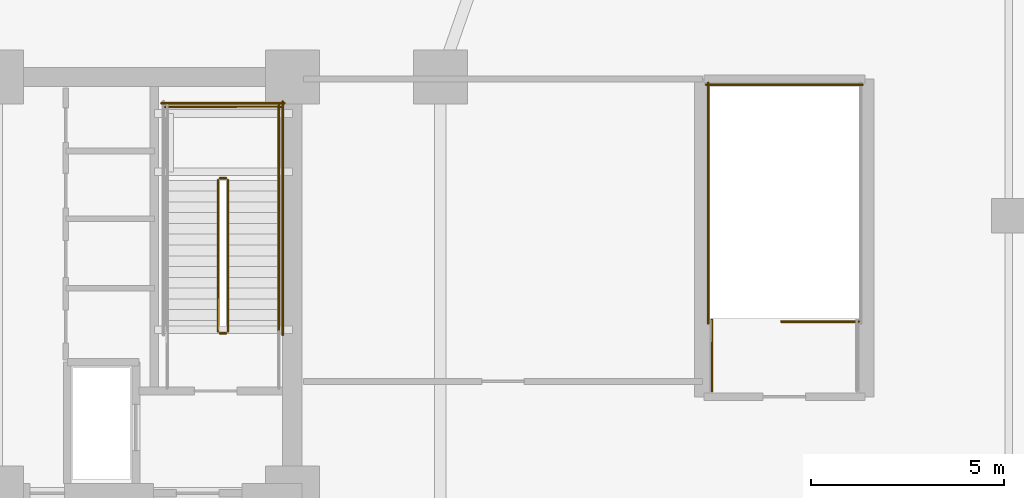
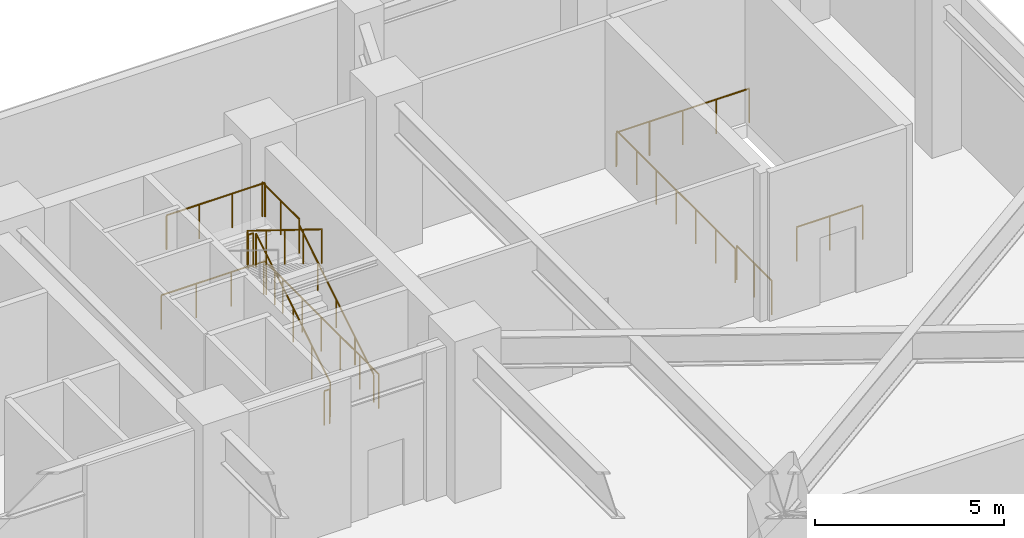
# One storey, part 14 of 15: 13 railings.
"""IFC4 building model written with IfcOpenShell, lengths in metres."""

from ifc_helpers import new_model, si_unit, direction, frame, origin, origin_2d, place, context, subcontext, project, spatial, circle, extrude, material, layer, layer_set, type_object, element, save


model = new_model("IFC4")

# Units and contexts
model_context = context("Model", 3, precision=1e-05, world=origin(), true_north=direction((0.0, 1.0)))
body_context = subcontext(model_context, "Body", "Model", "MODEL_VIEW")
ifc_project = project(units=[si_unit("LENGTHUNIT", "METRE"), si_unit("AREAUNIT", "SQUARE_METRE"), si_unit("VOLUMEUNIT", "CUBIC_METRE"), si_unit("PLANEANGLEUNIT", "RADIAN"), si_unit("MASSUNIT", "GRAM", prefix="KILO")], contexts=[model_context])

# Site, building, storey
site_placement = place(None, origin())
site = spatial("IfcSite", under=ifc_project, at=site_placement, CompositionType="ELEMENT")
building_placement = place(site_placement, origin())
building = spatial("IfcBuilding", under=site, at=building_placement, Name="Yelkora Congress Tower", CompositionType="ELEMENT")
storey_placement = place(building_placement, frame((0.0, 0.0, 25.199951171875)))
storey = spatial("IfcBuildingStorey", under=building, at=storey_placement, Name="L05", CompositionType="ELEMENT", Elevation=25.199951171875)

# Railings
ifc_material_1 = material(Name="Painted galvanised steel stair well guard with vertical infill", Category="steel")
ifc_layer_1 = layer(ifc_material_1, 0.06005859375)
ifc_layer_set_1 = layer_set([ifc_layer_1], Name="Painted galvanised steel stair well guard with vertical infill")
railing_type_1 = type_object("IfcRailingType", Name="RAIL-STAIR-GUARD-1120", PredefinedType="GUARDRAIL", material=ifc_layer_set_1)
railing_1_placement = place(storey_placement, frame((52.090087890625, 39.60009765625, 0.17333984375)))
element("IfcRailing", 1, at=railing_1_placement, inside=storey, type_object=railing_type_1, Name="ST-02 L05 Stair Well Guardrail 1", PredefinedType="GUARDRAIL", context=body_context, shape_type="SweptSolid", body=[
    extrude(circle(Radius=0.02392578125, at=origin_2d()), frame((0.0, 0.0, 1.09619140625), z_axis=(0.0, 0.850251603719, 0.526376491091), x_axis=(-1.0, 0.0, 0.0)), (0.0, 0.0, 1.0), 4.6103515625),
    extrude(circle(Radius=0.02099609375, at=origin_2d()), origin(), (0.0, 0.0, 1.0), 1.072021484375),
    extrude(circle(Radius=0.02099609375, at=origin_2d()), frame((0.0, 0.97998046875, 0.606689453125)), (0.0, 0.0, 1.0), 1.072021484375),
    extrude(circle(Radius=0.02099609375, at=origin_2d()), frame((0.0, 1.9599609375, 1.21337890625)), (0.0, 0.0, 1.0), 1.072021484375),
    extrude(circle(Radius=0.02099609375, at=origin_2d()), frame((0.0, 2.93994140625, 1.820068359375)), (0.0, 0.0, 1.0), 1.072021484375),
    extrude(circle(Radius=0.02099609375, at=origin_2d()), frame((0.0, 3.919921875, 2.4267578125)), (0.0, 0.0, 1.0), 1.072021484375),
])
railing_2_placement = place(storey_placement, frame((52.0400390625, 43.570068359375, 2.60009765625)))
element("IfcRailing", 2, at=railing_2_placement, inside=storey, type_object=railing_type_1, Name="ST-02 L05 Stair Well Guardrail 2", PredefinedType="GUARDRAIL", context=body_context, shape_type="SweptSolid", body=[
    extrude(circle(Radius=0.02392578125, at=origin_2d()), frame((0.0, 0.0, 1.09619140625), z_axis=(-1.0, 0.0, 0.0), x_axis=(0.0, -1.0, 0.0)), (0.0, 0.0, 1.0), 0.16015625),
    extrude(circle(Radius=0.02099609375, at=origin_2d()), origin(), (0.0, 0.0, 1.0), 1.072021484375),
    extrude(circle(Radius=0.02099609375, at=origin_2d()), frame((-0.16015625, 0.0, 0.0)), (0.0, 0.0, 1.0), 1.072021484375),
])
railing_3_placement = place(storey_placement, frame((53.409912109375, 43.52001953125, 2.60009765625)))
element("IfcRailing", 3, at=railing_3_placement, inside=storey, type_object=railing_type_1, Name="ST-02 L05 Stair Well Guardrail 3", PredefinedType="GUARDRAIL", context=body_context, shape_type="SweptSolid", body=[
    extrude(circle(Radius=0.02392578125, at=origin_2d()), frame((0.0, 0.0, 1.09619140625), z_axis=(0.0, 1.0, 0.0), x_axis=(-1.0, 0.0, 0.0)), (0.0, 0.0, 1.0), 1.949951171875),
    extrude(circle(Radius=0.02099609375, at=origin_2d()), origin(), (0.0, 0.0, 1.0), 1.072021484375),
    extrude(circle(Radius=0.02099609375, at=origin_2d()), frame((0.0, 0.97509765625, 0.0)), (0.0, 0.0, 1.0), 1.072021484375),
    extrude(circle(Radius=0.02099609375, at=origin_2d()), frame((0.0, 1.949951171875, 0.0)), (0.0, 0.0, 1.0), 1.072021484375),
])
railing_4_placement = place(storey_placement, frame((53.4599609375, 45.419921875, 2.60009765625)))
element("IfcRailing", 4, at=railing_4_placement, inside=storey, type_object=railing_type_1, Name="ST-02 L05 Stair Well Guardrail 5", PredefinedType="GUARDRAIL", context=body_context, shape_type="SweptSolid", body=[
    extrude(circle(Radius=0.02392578125, at=origin_2d()), frame((0.0, 0.0, 1.09619140625), z_axis=(-1.0, 0.0, 0.0), x_axis=(0.0, -1.0, 0.0)), (0.0, 0.0, 1.0), 3.0),
    extrude(circle(Radius=0.02099609375, at=origin_2d()), origin(), (0.0, 0.0, 1.0), 1.072021484375),
    extrude(circle(Radius=0.02099609375, at=origin_2d()), frame((-1.0, 0.0, 0.0)), (0.0, 0.0, 1.0), 1.072021484375),
    extrude(circle(Radius=0.02099609375, at=origin_2d()), frame((-2.0, 0.0, 0.0)), (0.0, 0.0, 1.0), 1.072021484375),
    extrude(circle(Radius=0.02099609375, at=origin_2d()), frame((-3.0, 0.0, 0.0)), (0.0, 0.0, 1.0), 1.072021484375),
])
railing_5_placement = place(storey_placement, frame((51.830078125, 43.52001953125, 2.7734375)))
element("IfcRailing", 5, at=railing_5_placement, inside=storey, type_object=railing_type_1, Name="ST-02 L05 Stair Well Guardrail 6", PredefinedType="GUARDRAIL", context=body_context, shape_type="SweptSolid", body=[
    extrude(circle(Radius=0.02392578125, at=origin_2d()), frame((0.0, 0.0, 1.09619140625), z_axis=(0.0, -0.850275303828, 0.526338206574), x_axis=(1.0, 0.0, 0.0)), (0.0, 0.0, 1.0), 4.610107421875),
    extrude(circle(Radius=0.02099609375, at=origin_2d()), origin(), (0.0, 0.0, 1.0), 1.072021484375),
    extrude(circle(Radius=0.02099609375, at=origin_2d()), frame((0.0, -0.97998046875, 0.606689453125)), (0.0, 0.0, 1.0), 1.072021484375),
    extrude(circle(Radius=0.02099609375, at=origin_2d()), frame((0.0, -1.9599609375, 1.21337890625)), (0.0, 0.0, 1.0), 1.072021484375),
    extrude(circle(Radius=0.02099609375, at=origin_2d()), frame((0.0, -2.93994140625, 1.81982421875)), (0.0, 0.0, 1.0), 1.072021484375),
    extrude(circle(Radius=0.02099609375, at=origin_2d()), frame((0.0, -3.919921875, 2.426513671875)), (0.0, 0.0, 1.0), 1.072021484375),
])
railing_6_placement = place(storey_placement, frame((52.0400390625, 39.550048828125, 0.0)))
element("IfcRailing", 6, at=railing_6_placement, inside=storey, type_object=railing_type_1, Name="ST-02 L05 Stair Well Guardrail 7", PredefinedType="GUARDRAIL", context=body_context, shape_type="SweptSolid", body=[
    extrude(circle(Radius=0.02392578125, at=origin_2d()), frame((0.0, 0.0, 1.09619140625), z_axis=(-1.0, 0.0, 0.0), x_axis=(0.0, -1.0, 0.0)), (0.0, 0.0, 1.0), 0.16015625),
    extrude(circle(Radius=0.02099609375, at=origin_2d()), origin(), (0.0, 0.0, 1.0), 1.072021484375),
    extrude(circle(Radius=0.02099609375, at=origin_2d()), frame((-0.16015625, 0.0, 0.0)), (0.0, 0.0, 1.0), 1.072021484375),
])
railing_7_placement = place(storey_placement, frame((53.510009765625, 39.5, 0.0)))
element("IfcRailing", 7, at=railing_7_placement, inside=storey, type_object=railing_type_1, Name="ST-02 L05 Stair Well Guardrail 10", PredefinedType="GUARDRAIL", context=body_context, shape_type="SweptSolid", body=[
    extrude(circle(Radius=0.02392578125, at=origin_2d()), frame((0.0, 0.0, 1.09619140625), z_axis=(0.0, 1.0, 0.0), x_axis=(-1.0, 0.0, 0.0)), (0.0, 0.0, 1.0), 6.070068359375),
    extrude(circle(Radius=0.02099609375, at=origin_2d()), origin(), (0.0, 0.0, 1.0), 1.072021484375),
    extrude(circle(Radius=0.02099609375, at=origin_2d()), frame((0.0, 1.01171875, 0.0)), (0.0, 0.0, 1.0), 1.072021484375),
    extrude(circle(Radius=0.02099609375, at=origin_2d()), frame((0.0, 2.0234375, 0.0)), (0.0, 0.0, 1.0), 1.072021484375),
    extrude(circle(Radius=0.02099609375, at=origin_2d()), frame((0.0, 3.03515625, 0.0)), (0.0, 0.0, 1.0), 1.072021484375),
    extrude(circle(Radius=0.02099609375, at=origin_2d()), frame((0.0, 4.046630859375, 0.0)), (0.0, 0.0, 1.0), 1.072021484375),
    extrude(circle(Radius=0.02099609375, at=origin_2d()), frame((0.0, 5.058349609375, 0.0)), (0.0, 0.0, 1.0), 1.072021484375),
    extrude(circle(Radius=0.02099609375, at=origin_2d()), frame((0.0, 6.070068359375, 0.0)), (0.0, 0.0, 1.0), 1.072021484375),
])
railing_8_placement = place(storey_placement, frame((53.56005859375, 45.52001953125, 0.0)))
element("IfcRailing", 8, at=railing_8_placement, inside=storey, type_object=railing_type_1, Name="ST-02 L05 Stair Well Guardrail 12", PredefinedType="GUARDRAIL", context=body_context, shape_type="SweptSolid", body=[
    extrude(circle(Radius=0.02392578125, at=origin_2d()), frame((0.0, 0.0, 1.09619140625), z_axis=(-1.0, 0.0, 0.0), x_axis=(0.0, -1.0, 0.0)), (0.0, 0.0, 1.0), 3.199951171875),
    extrude(circle(Radius=0.02099609375, at=origin_2d()), origin(), (0.0, 0.0, 1.0), 1.072021484375),
    extrude(circle(Radius=0.02099609375, at=origin_2d()), frame((-1.066650390625, 0.0, 0.0)), (0.0, 0.0, 1.0), 1.072021484375),
    extrude(circle(Radius=0.02099609375, at=origin_2d()), frame((-2.13330078125, 0.0, 0.0)), (0.0, 0.0, 1.0), 1.072021484375),
    extrude(circle(Radius=0.02099609375, at=origin_2d()), frame((-3.199951171875, 0.0, 0.0)), (0.0, 0.0, 1.0), 1.072021484375),
])
railing_9_placement = place(storey_placement, frame((68.4599609375, 39.85009765625, 0.0)))
element("IfcRailing", 9, at=railing_9_placement, inside=storey, type_object=railing_type_1, Name="ST-P2 L05 Top Stair-Well Guardrail 1", PredefinedType="GUARDRAIL", context=body_context, shape_type="SweptSolid", body=[
    extrude(circle(Radius=0.02392578125, at=origin_2d()), frame((0.0, 0.0, 1.09619140625), z_axis=(-1.0, 0.0, 0.0), x_axis=(0.0, -1.0, 0.0)), (0.0, 0.0, 1.0), 2.010009765625),
    extrude(circle(Radius=0.02099609375, at=origin_2d()), origin(), (0.0, 0.0, 1.0), 1.072021484375),
    extrude(circle(Radius=0.02099609375, at=origin_2d()), frame((-1.0048828125, 0.0, 0.0)), (0.0, 0.0, 1.0), 1.072021484375),
    extrude(circle(Radius=0.02099609375, at=origin_2d()), frame((-2.010009765625, 0.0, 0.0)), (0.0, 0.0, 1.0), 1.072021484375),
])
railing_10_placement = place(storey_placement, frame((64.550048828125, 39.800048828125, 0.0)))
element("IfcRailing", 10, at=railing_10_placement, inside=storey, type_object=railing_type_1, Name="ST-P2 L05 Top Stair-Well Guardrail 3", PredefinedType="GUARDRAIL", context=body_context, shape_type="SweptSolid", body=[
    extrude(circle(Radius=0.02392578125, at=origin_2d()), frame((0.0, 0.0, 1.09619140625), z_axis=(0.0, 1.0, 0.0), x_axis=(-1.0, 0.0, 0.0)), (0.0, 0.0, 1.0), 6.25),
    extrude(circle(Radius=0.02099609375, at=origin_2d()), origin(), (0.0, 0.0, 1.0), 1.072021484375),
    extrude(circle(Radius=0.02099609375, at=origin_2d()), frame((0.0, 1.041748046875, 0.0)), (0.0, 0.0, 1.0), 1.072021484375),
    extrude(circle(Radius=0.02099609375, at=origin_2d()), frame((0.0, 2.083251953125, 0.0)), (0.0, 0.0, 1.0), 1.072021484375),
    extrude(circle(Radius=0.02099609375, at=origin_2d()), frame((0.0, 3.125, 0.0)), (0.0, 0.0, 1.0), 1.072021484375),
    extrude(circle(Radius=0.02099609375, at=origin_2d()), frame((0.0, 4.166748046875, 0.0)), (0.0, 0.0, 1.0), 1.072021484375),
    extrude(circle(Radius=0.02099609375, at=origin_2d()), frame((0.0, 5.208251953125, 0.0)), (0.0, 0.0, 1.0), 1.072021484375),
    extrude(circle(Radius=0.02099609375, at=origin_2d()), frame((0.0, 6.25, 0.0)), (0.0, 0.0, 1.0), 1.072021484375),
])
railing_11_placement = place(storey_placement, frame((68.56005859375, 46.0, 0.0)))
element("IfcRailing", 11, at=railing_11_placement, inside=storey, type_object=railing_type_1, Name="ST-P2 L05 Top Stair-Well Guardrail 4", PredefinedType="GUARDRAIL", context=body_context, shape_type="SweptSolid", body=[
    extrude(circle(Radius=0.02392578125, at=origin_2d()), frame((0.0, 0.0, 1.09619140625), z_axis=(-1.0, 0.0, 0.0), x_axis=(0.0, -1.0, 0.0)), (0.0, 0.0, 1.0), 4.06005859375),
    extrude(circle(Radius=0.02099609375, at=origin_2d()), origin(), (0.0, 0.0, 1.0), 1.072021484375),
    extrude(circle(Radius=0.02099609375, at=origin_2d()), frame((-1.01513671875, 0.0, 0.0)), (0.0, 0.0, 1.0), 1.072021484375),
    extrude(circle(Radius=0.02099609375, at=origin_2d()), frame((-2.030029296875, 0.0, 0.0)), (0.0, 0.0, 1.0), 1.072021484375),
    extrude(circle(Radius=0.02099609375, at=origin_2d()), frame((-3.044921875, 0.0, 0.0)), (0.0, 0.0, 1.0), 1.072021484375),
    extrude(circle(Radius=0.02099609375, at=origin_2d()), frame((-4.06005859375, 0.0, 0.0)), (0.0, 0.0, 1.0), 1.072021484375),
])
railing_12_placement = place(storey_placement, frame((64.64990234375, 38.050048828125, 0.0)))
element("IfcRailing", 12, at=railing_12_placement, inside=storey, type_object=railing_type_1, Name="ST-P2 L05 Top Stair-Well Guardrail 6", PredefinedType="GUARDRAIL", context=body_context, shape_type="SweptSolid", body=[
    extrude(circle(Radius=0.02392578125, at=origin_2d()), frame((0.0, 0.0, 1.09619140625), z_axis=(0.0, 1.0, 0.0), x_axis=(-1.0, 0.0, 0.0)), (0.0, 0.0, 1.0), 1.849853515625),
    extrude(circle(Radius=0.02099609375, at=origin_2d()), origin(), (0.0, 0.0, 1.0), 1.072021484375),
    extrude(circle(Radius=0.02099609375, at=origin_2d()), frame((0.0, 0.9248046875, 0.0)), (0.0, 0.0, 1.0), 1.072021484375),
    extrude(circle(Radius=0.02099609375, at=origin_2d()), frame((0.0, 1.849853515625, 0.0)), (0.0, 0.0, 1.0), 1.072021484375),
])
ifc_material_2 = material(Name="Brushed stainless steel tubular handrail", Category="steel")
ifc_layer_2 = layer(ifc_material_2, 0.050048828125)
ifc_layer_set_2 = layer_set([ifc_layer_2], Name="Brushed stainless steel tubular handrail")
railing_type_2 = type_object("IfcRailingType", Name="RAIL-STAIR-HAND-920", PredefinedType="HANDRAIL", material=ifc_layer_set_2)
railing_13_placement = place(storey_placement, frame((53.409912109375, 39.60009765625, 0.17333984375)))
element("IfcRailing", 13, at=railing_13_placement, inside=storey, type_object=railing_type_2, Name="ST-02 L05 Pitch Handrail 1", PredefinedType="HANDRAIL", context=body_context, shape_type="SweptSolid", body=[
    extrude(circle(Radius=0.02392578125, at=origin_2d()), frame((0.0, 0.0, 0.89599609375), z_axis=(0.0, 0.850251603719, 0.526376491091), x_axis=(-1.0, 0.0, 0.0)), (0.0, 0.0, 1.0), 4.6103515625),
    extrude(circle(Radius=0.02099609375, at=origin_2d()), origin(), (0.0, 0.0, 1.0), 0.871826171875),
    extrude(circle(Radius=0.02099609375, at=origin_2d()), frame((0.0, 0.97998046875, 0.606689453125)), (0.0, 0.0, 1.0), 0.871826171875),
    extrude(circle(Radius=0.02099609375, at=origin_2d()), frame((0.0, 1.9599609375, 1.21337890625)), (0.0, 0.0, 1.0), 0.871826171875),
    extrude(circle(Radius=0.02099609375, at=origin_2d()), frame((0.0, 2.93994140625, 1.820068359375)), (0.0, 0.0, 1.0), 0.871826171875),
    extrude(circle(Radius=0.02099609375, at=origin_2d()), frame((0.0, 3.919921875, 2.4267578125)), (0.0, 0.0, 1.0), 0.871826171875),
])

save(model, "model.ifc")
